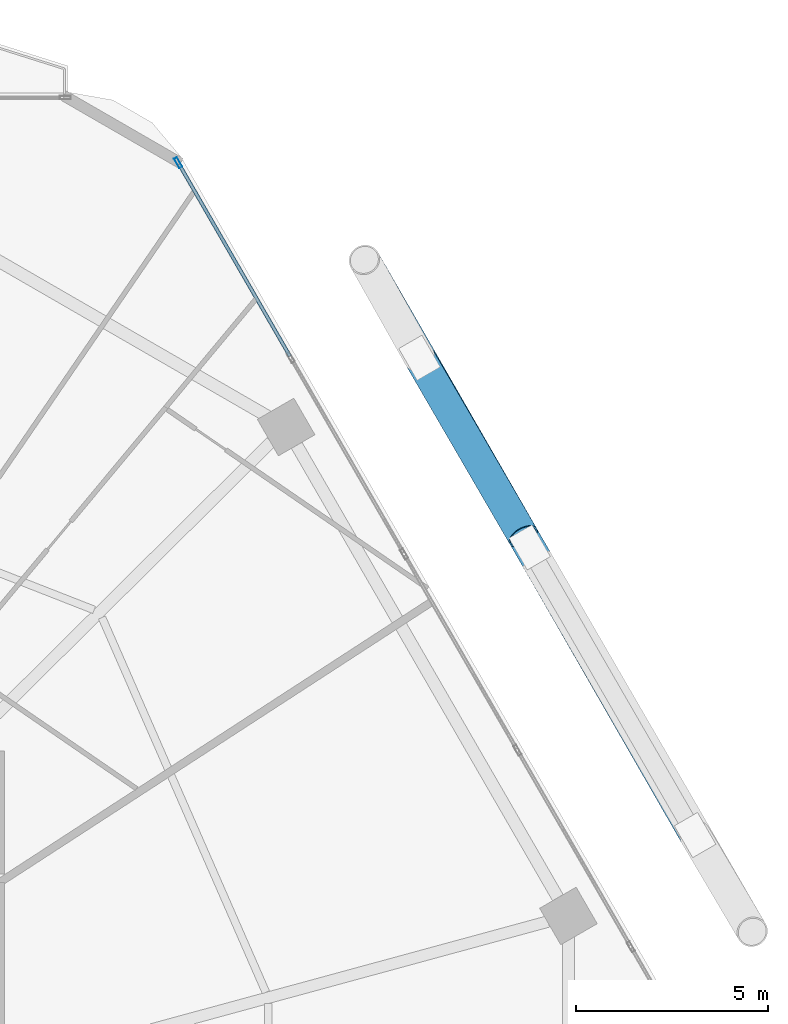
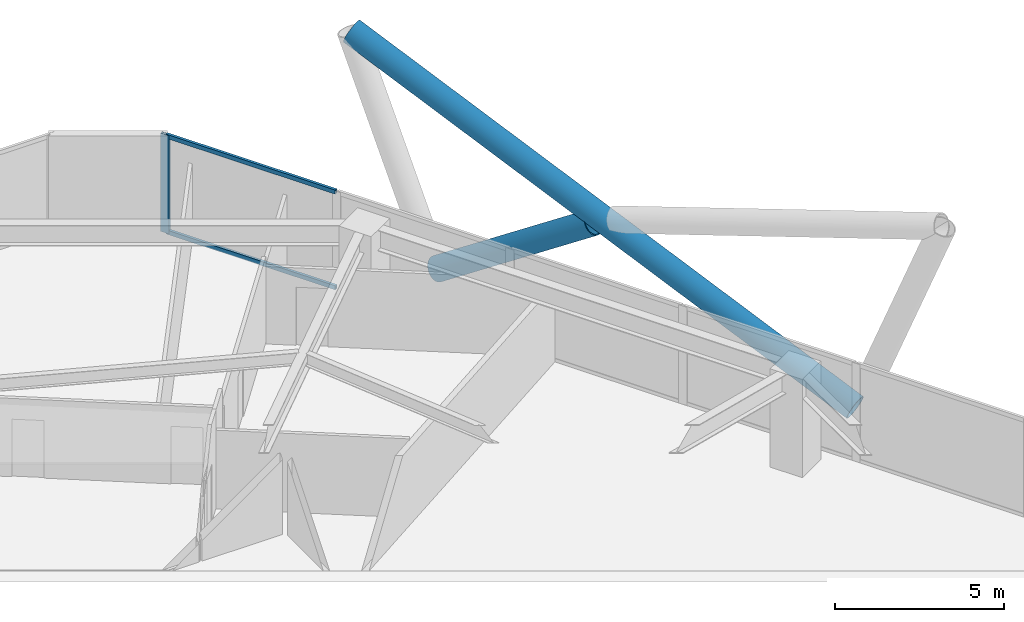
# One storey, part 24 of 35: 5 members, 1 element without a shape of its own.
"""IFC4 building model written with IfcOpenShell, lengths in metres."""

from ifc_helpers import new_model, si_unit, direction, frame, origin, origin_2d, place, context, subcontext, project, spatial, hollow_rectangle, hollow_circle, extrude, material, material_profile, profile_set, type_object, element, aggregate, save


model = new_model("IFC4")

# Units and contexts
model_context = context("Model", 3, precision=1e-05, world=origin(), true_north=direction((0.0, 1.0)))
body_context = subcontext(model_context, "Body", "Model", "MODEL_VIEW")
ifc_project = project(units=[si_unit("LENGTHUNIT", "METRE"), si_unit("AREAUNIT", "SQUARE_METRE"), si_unit("VOLUMEUNIT", "CUBIC_METRE"), si_unit("PLANEANGLEUNIT", "RADIAN"), si_unit("MASSUNIT", "GRAM", prefix="KILO")], contexts=[model_context])

# Site, building, storey
site_placement = place(None, origin())
site = spatial("IfcSite", under=ifc_project, at=site_placement, CompositionType="ELEMENT")
building_placement = place(site_placement, origin())
building = spatial("IfcBuilding", under=site, at=building_placement, Name="Zuhravey Tower", CompositionType="ELEMENT")
storey_placement = place(building_placement, frame((0.0, 0.0, 115.199951171875)))
storey = spatial("IfcBuildingStorey", under=building, at=storey_placement, Name="L28", CompositionType="ELEMENT", Elevation=115.199951171875)

# Curtain wall, members
ifc_material_1 = material(Name="Thermally broken anodised aluminium", Category="aluminium")
curtain_wall_type = type_object("IfcCurtainWallType", Name="Zone 1-2 Residential Curtain Wall CW3", PredefinedType="NOTDEFINED", material=ifc_material_1)
curtain_wall_placement = place(storey_placement, origin())
curtain_wall = element("IfcCurtainWall", 1, at=curtain_wall_placement, inside=storey, type_object=curtain_wall_type, Name="L28 CW3 CW-L28-F1-1", PredefinedType="NOTDEFINED")
ifc_material_2 = material(Name="Anodised aluminium", Category="aluminium")
ifc_material_profile_1 = material_profile(ifc_material_2, hollow_rectangle(XDim=0.090087890625, YDim=0.284912109375, WallThickness=0.0048828125, at=origin_2d()), Name="ALU-RHS-90x285x5")
ifc_profile_set_1 = profile_set([ifc_material_profile_1], Name="Anodised aluminium")
member_type_1 = type_object("IfcMemberType", Name="Curtain-Wall Mullion 90x180", PredefinedType="MULLION", material=ifc_profile_set_1)
member_1_placement = place(storey_placement, frame((53.701416015625, 59.257080078125, 0.0), z_axis=(0.0, 0.0, 1.0), x_axis=(0.86602552265, 0.499999794119, 0.0)))
member_1 = element("IfcMember", 2, at=member_1_placement, type_object=member_type_1, Name="CW3 mullion 1", PredefinedType="MULLION", context=body_context, shape_type="SweptSolid", body=[
    extrude(hollow_rectangle(XDim=0.090087890625, YDim=0.284912109375, WallThickness=0.0048828125, at=origin_2d()), origin(), (0.0, 0.0, 1.0), 3.550048828125),
])
ifc_material_profile_2 = material_profile(ifc_material_2, hollow_rectangle(XDim=0.090087890625, YDim=0.14990234375, WallThickness=0.0048828125, at=origin_2d()), Name="ALU-RHS-90x150x5")
ifc_profile_set_2 = profile_set([ifc_material_profile_2], Name="Anodised aluminium")
member_type_2 = type_object("IfcMemberType", Name="Curtain-Wall Transom 90x150", PredefinedType="USERDEFINED", material=ifc_profile_set_2)
member_2_placement = place(storey_placement, frame((53.72412109375, 59.218017578125, 0.045166015625), z_axis=(0.499992798144, -0.866029561738, 0.0), x_axis=(0.866029561738, 0.499992798144, 0.0)))
member_2 = element("IfcMember", 3, at=member_2_placement, type_object=member_type_2, Name="CW3 transom 1.1", ObjectType="TRANSOM", PredefinedType="USERDEFINED", context=body_context, shape_type="SweptSolid", body=[
    extrude(hollow_rectangle(XDim=0.090087890625, YDim=0.14990234375, WallThickness=0.0048828125, at=origin_2d()), origin(), (0.0, 0.0, 1.0), 5.78466796875),
])
member_3_placement = place(storey_placement, frame((53.72412109375, 59.218017578125, 3.505126953125), z_axis=(0.499992798144, -0.866029561738, 0.0), x_axis=(0.866029561738, 0.499992798144, 0.0)))
member_3 = element("IfcMember", 4, at=member_3_placement, type_object=member_type_2, Name="CW3 transom 1.2", ObjectType="TRANSOM", PredefinedType="USERDEFINED", context=body_context, shape_type="SweptSolid", body=[
    extrude(hollow_rectangle(XDim=0.090087890625, YDim=0.14990234375, WallThickness=0.0048828125, at=origin_2d()), origin(), (0.0, 0.0, 1.0), 5.78466796875),
])
aggregate(curtain_wall, [member_1, member_2, member_3])

# Members
ifc_material_3 = material(Name="Steel SM460", Category="steel")
ifc_material_profile_3 = material_profile(ifc_material_3, hollow_circle(Radius=0.406494140625, WallThickness=0.035888671875, at=origin_2d()), Name="CHS-812.8x36")
ifc_profile_set_3 = profile_set([ifc_material_profile_3], Name="Steel SM460")
member_type_3 = type_object("IfcMemberType", Name="Exoskeleton Zone 1 Diagrid CHS813x36", PredefinedType="BRACE", material=ifc_profile_set_3)
member_4_placement = place(storey_placement, frame((67.1708984375, 41.747802734375, -0.44189453125), z_axis=(-0.456534696323, 0.793907374673, 0.40160571646), x_axis=(-0.866888392949, -0.498502270978, 0.0)))
element("IfcMember", 5, at=member_4_placement, inside=storey, type_object=member_type_3, Name="L28 Face 1 Diagrid Brace 2", PredefinedType="BRACE", context=body_context, shape_type="SweptSolid", body=[
    extrude(hollow_circle(Radius=0.406494140625, WallThickness=0.035888671875, at=origin_2d()), origin(), (0.0, 0.0, 1.0), 18.814208984375),
])
member_5_placement = place(storey_placement, frame((60.02490234375, 54.124755859375, -0.43359375), z_axis=(0.418415666414, -0.720349037114, 0.553195801527), x_axis=(0.864711536908, 0.502268810438, 0.0)))
element("IfcMember", 6, at=member_5_placement, inside=storey, type_object=member_type_3, Name="L28 Face 1 Split Diagrid Brace 3A", PredefinedType="BRACE", context=body_context, shape_type="SweptSolid", body=[
    extrude(hollow_circle(Radius=0.406494140625, WallThickness=0.035888671875, at=origin_2d()), origin(), (0.0, 0.0, 1.0), 6.417724609375),
])

save(model, "model.ifc")
